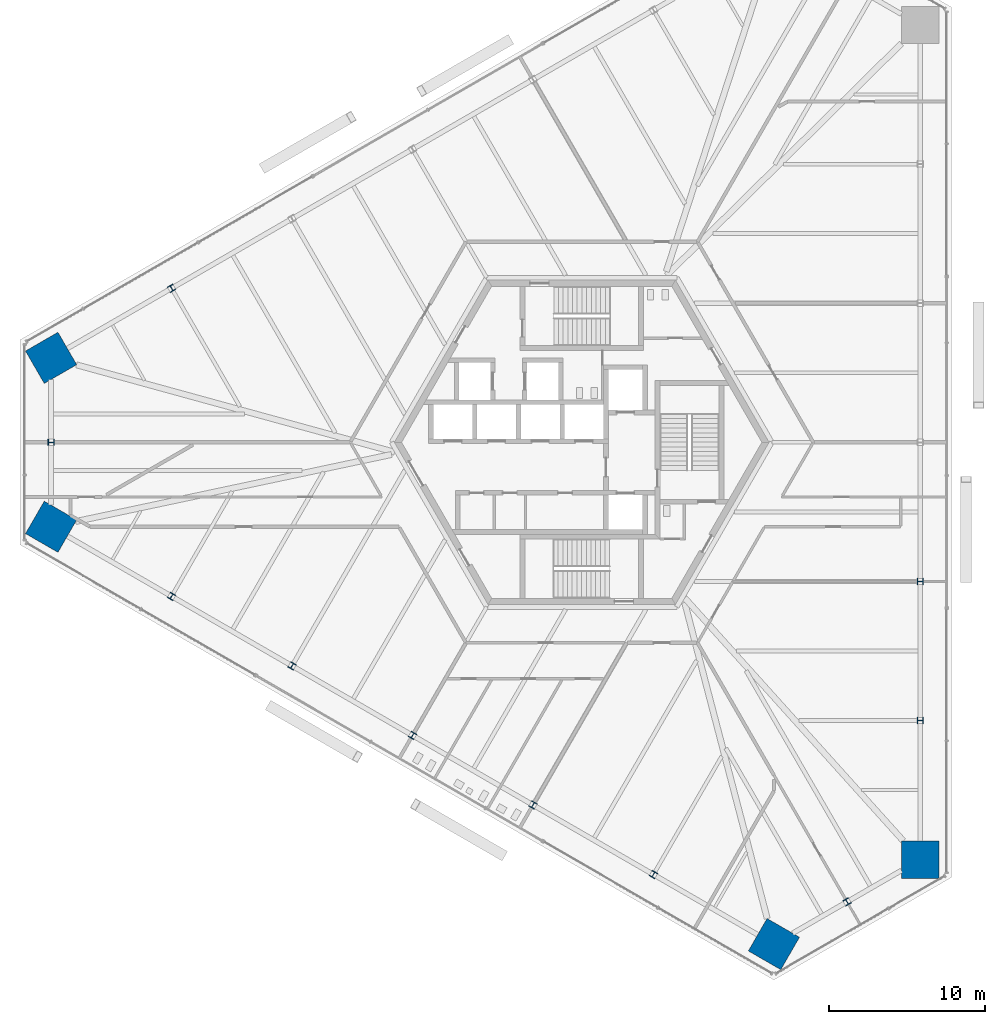
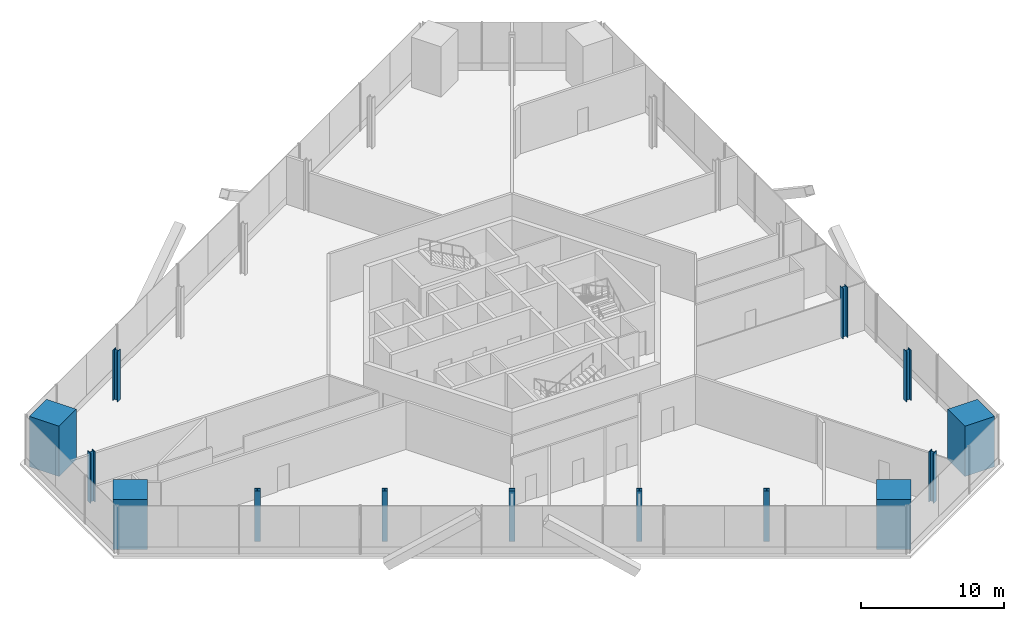
# One storey, part 1 of 15: 14 columns.
"""IFC4 building model written with IfcOpenShell, lengths in metres."""

from ifc_helpers import new_model, si_unit, direction, frame, origin, origin_2d, place, context, subcontext, project, spatial, rectangle, i_section, extrude, source, transform, mapped, material, material_profile, profile_set, type_object, element, save


model = new_model("IFC4")

# Units and contexts
model_context = context("Model", 3, precision=1e-05, world=origin(), true_north=direction((0.0, 1.0)))
body_context = subcontext(model_context, "Body", "Model", "MODEL_VIEW")
ifc_project = project(units=[si_unit("LENGTHUNIT", "METRE"), si_unit("AREAUNIT", "SQUARE_METRE"), si_unit("VOLUMEUNIT", "CUBIC_METRE"), si_unit("PLANEANGLEUNIT", "RADIAN"), si_unit("MASSUNIT", "GRAM", prefix="KILO")], contexts=[model_context])

# Site, building, storey
site_placement = place(None, origin())
site = spatial("IfcSite", under=ifc_project, at=site_placement, CompositionType="ELEMENT")
building_placement = place(site_placement, origin())
building = spatial("IfcBuilding", under=site, at=building_placement, Name="Triune Harvest Tower", CompositionType="ELEMENT")
storey_placement = place(building_placement, frame((0.0, 0.0, 28.89990234375)))
storey = spatial("IfcBuildingStorey", under=building, at=storey_placement, Name="L06", CompositionType="ELEMENT", Elevation=28.89990234375)

# Columns
ifc_material_1 = material(Name="Concrete 70 MPa", Category="concrete")
ifc_material_profile_1 = material_profile(ifc_material_1, rectangle(XDim=2.39990234375, YDim=2.39990234375, at=origin_2d()), Name="Composite 2400x2400")
ifc_profile_set_1 = profile_set([ifc_material_profile_1], Name="Concrete 70 MPa")
column_type_1 = type_object("IfcColumnType", Name="MC-1 Mega column Composite 2400x2400", PredefinedType="COLUMN", material=ifc_profile_set_1)
shared_shape_1 = source(origin(), body_context, "Body", "SweptSolid", [
    extrude(rectangle(XDim=2.39990234375, YDim=2.39990234375, at=origin_2d()), origin(), (0.0, 0.0, 1.0), 4.300048828125),
])
for number, where, z_axis, x_axis, name in (
    (1, (21.679443359375, -26.72998046875, 0.0), (0.0, 0.0, 1.0), (0.0, 1.0, 0.0), "col/L06/M0"),
    (2, (-33.988525390625, 5.409912109375, 0.0), (0.0, 0.0, 1.0), (-0.866025403784, -0.5, 0.0), "col/L06/M14"),
    (3, (-33.988525390625, -5.409912109375, 0.0), (0.0, 0.0, 1.0), (0.866025403784, -0.5, 0.0), "col/L06/M16"),
    (4, (12.30908203125, -32.139892578125, 0.0), (0.0, 0.0, 1.0), (0.866025403784, -0.5, 0.0), "col/L06/M22"),
):
    element("IfcColumn", number, at=place(storey_placement, frame(where, z_axis=z_axis, x_axis=x_axis)), inside=storey, type_object=column_type_1, Name=name, PredefinedType="COLUMN", context=body_context, shape_type="MappedRepresentation", body=[
        mapped(shared_shape_1, transform((0.0, 0.0, 0.0), scale=1.0)),
    ])
ifc_material_2 = material(Name="Steel ASTM A992 Gr 50", Category="steel")
ifc_material_profile_2 = material_profile(ifc_material_2, i_section(OverallWidth=0.40380859375, OverallDepth=0.406494140625, WebThickness=0.027099609375, FlangeThickness=0.043701171875, at=origin_2d()), Name="W14x233")
ifc_profile_set_2 = profile_set([ifc_material_profile_2], Name="Steel ASTM A992 Gr 50")
column_type_2 = type_object("IfcColumnType", Name="PC-1 Perimeter column W14x233", PredefinedType="COLUMN", material=ifc_profile_set_2)
shared_shape_2 = source(origin(), body_context, "Body", "SweptSolid", [
    extrude(i_section(OverallWidth=0.40380859375, OverallDepth=0.406494140625, WebThickness=0.027099609375, FlangeThickness=0.043701171875, at=origin_2d()), origin(), (0.0, 0.0, 1.0), 4.300048828125),
])
for number, where, z_axis, x_axis, name in (
    (5, (21.679443359375, -17.820068359375, 0.0), (0.0, 0.0, 1.0), (0.0, 1.0, 0.0), "col/L06/P1"),
    (6, (21.679443359375, -8.909912109375, 0.0), (0.0, 0.0, 1.0), (0.0, 1.0, 0.0), "col/L06/P2"),
    (7, (-26.272216796875, 9.864990234375, 0.0), (0.0, 0.0, 1.0), (-0.866025403784, -0.5, 0.0), "col/L06/P13"),
    (8, (-33.988525390625, 0.0, 0.0), (0.0, 0.0, 1.0), (0.0, -1.0, 0.0), "col/L06/P15"),
    (9, (-26.272216796875, -9.864990234375, 0.0), (0.0, 0.0, 1.0), (0.866025403784, -0.5, 0.0), "col/L06/P17"),
    (10, (-18.555908203125, -14.320068359375, 0.0), (0.0, 0.0, 1.0), (0.866025403784, -0.5, 0.0), "col/L06/P18"),
    (11, (-10.839599609375, -18.77490234375, 0.0), (0.0, 0.0, 1.0), (0.866025403784, -0.5, 0.0), "col/L06/P19"),
    (12, (-3.12353515625, -23.22998046875, 0.0), (0.0, 0.0, 1.0), (0.866025403784, -0.5, 0.0), "col/L06/P20"),
    (13, (4.5927734375, -27.68505859375, 0.0), (0.0, 0.0, 1.0), (0.866025403784, -0.5, 0.0), "col/L06/P21"),
    (14, (16.994384765625, -29.43505859375, 0.0), (0.0, 0.0, 1.0), (0.866026276448, 0.4999984885, 0.0), "col/L06/P23"),
):
    element("IfcColumn", number, at=place(storey_placement, frame(where, z_axis=z_axis, x_axis=x_axis)), inside=storey, type_object=column_type_2, Name=name, PredefinedType="COLUMN", context=body_context, shape_type="MappedRepresentation", body=[
        mapped(shared_shape_2, transform((0.0, 0.0, 0.0), scale=1.0)),
    ])

save(model, "model.ifc")
